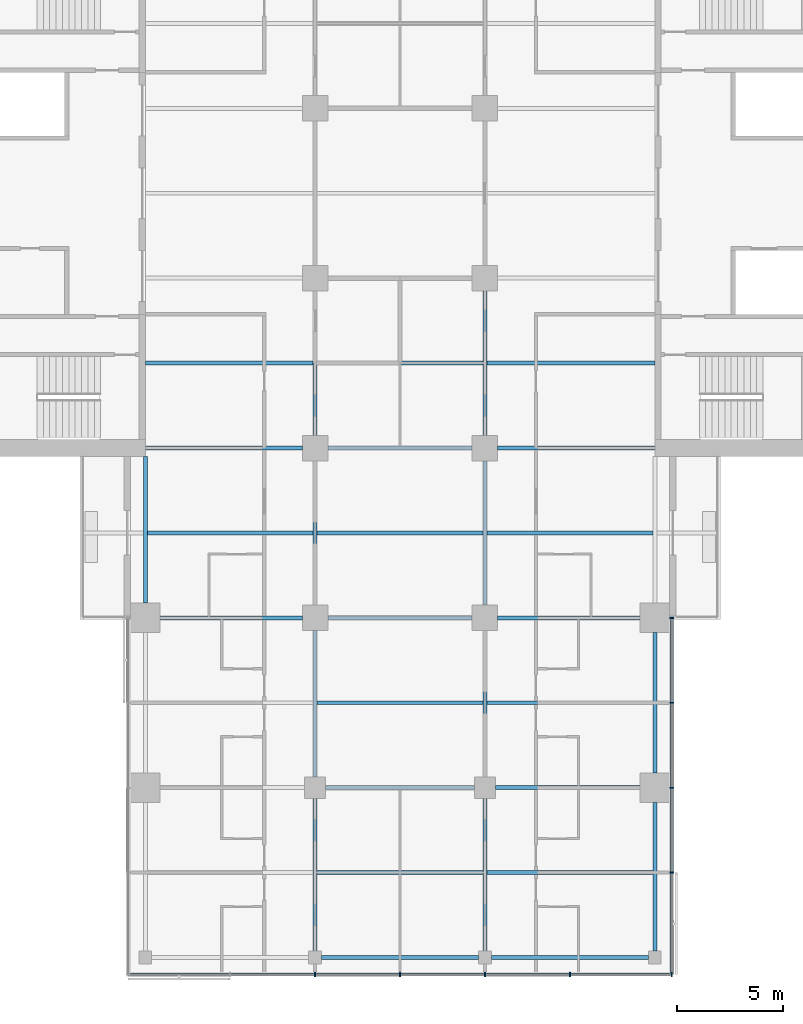
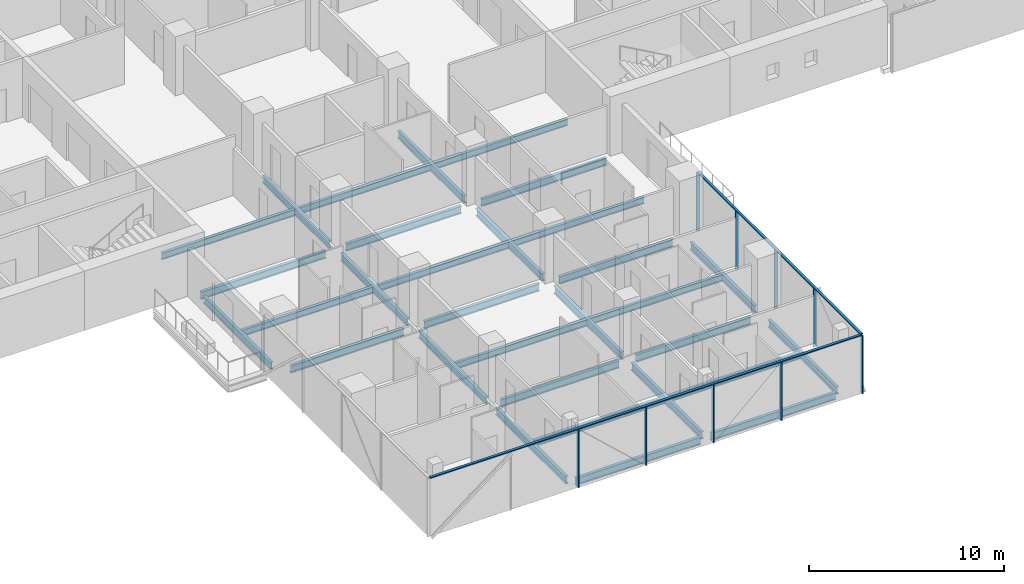
# One storey, part 4 of 29: 31 beams, 11 members, 2 elements without a shape of their own.
"""IFC4 building model written with IfcOpenShell, lengths in metres."""

import ifcopenshell
import ifcopenshell.guid

model = None  # the IFC model being written
_history = None  # IfcOwnerHistory: only IFC2X3 demands one
_inside = {}  # id of a spatial element -> (the spatial element, [elements in it])
_under = {}  # id of a project, library or spatial element -> (it, [spatial elements below it])
_declared = {}  # id of a project -> (the project, [libraries it declares])
_typed = {}  # id of a type object -> (the type object, [elements of that type])
_made_of = {}  # id of a material, layer set ... -> (it, [elements and type objects made of it])


def new_model(schema):
    """Start an empty IFC model of exactly this schema.

    Asked for "IFC4X3", IfcOpenShell would pick the latest addendum, in which some entities
    have other attributes; the version numbers below select the first issue.
    IFC2X3 requires an IfcOwnerHistory on every rooted entity: one is made here for all.
    """
    global model, _history
    if schema == "IFC4X3":
        model = ifcopenshell.file(schema_version=(4, 3, 0, 0))
    else:
        model = ifcopenshell.file(schema=schema)
    _inside.clear()
    _under.clear()
    _declared.clear()
    _typed.clear()
    _made_of.clear()
    _history = None
    if model.schema == "IFC2X3":
        org = make("IfcOrganization", Name="unknown")
        user = make(
            "IfcPersonAndOrganization",
            ThePerson=make("IfcPerson", FamilyName="unknown"),
            TheOrganization=org,
        )
        app = make(
            "IfcApplication",
            ApplicationDeveloper=org,
            Version="unknown",
            ApplicationFullName="unknown",
            ApplicationIdentifier="unknown",
        )
        _history = make(
            "IfcOwnerHistory",
            OwningUser=user,
            OwningApplication=app,
            ChangeAction="ADDED",
            CreationDate=0,
        )
    return model


def make(cls, **values):
    """One entity of the class cls with the attributes given. An attribute that is None is left unset."""
    return model.create_entity(
        cls, **{name: value for name, value in values.items() if value is not None}
    )


def rooted(cls, **values):
    """An entity with a GlobalId (a new one), such as an element, a storey or a relation."""
    return make(cls, GlobalId=ifcopenshell.guid.new(), OwnerHistory=_history, **values)


def si_unit(unit_type, name, prefix=None):
    """IfcSIUnit, for example si_unit("LENGTHUNIT", "METRE", prefix="MILLI")."""
    return make("IfcSIUnit", UnitType=unit_type, Prefix=prefix, Name=name)


def assignment(units):
    """IfcUnitAssignment: the units of a project."""
    return None if units is None else make("IfcUnitAssignment", Units=units)


def point(xyz):
    """IfcCartesianPoint."""
    return None if xyz is None else make("IfcCartesianPoint", Coordinates=xyz)


def direction(xyz):
    """IfcDirection."""
    return None if xyz is None else make("IfcDirection", DirectionRatios=xyz)


def frame(location, z_axis=None, x_axis=None):
    """IfcAxis2Placement3D, a coordinate frame: its origin and axes. An axis left out is left unset."""
    return make(
        "IfcAxis2Placement3D",
        Location=point(location),
        Axis=direction(z_axis),
        RefDirection=direction(x_axis),
    )


def frame_2d(location, x_axis=None):
    """IfcAxis2Placement2D, a coordinate frame in the plane: its origin and x axis."""
    return make(
        "IfcAxis2Placement2D", Location=point(location), RefDirection=direction(x_axis)
    )


def origin():
    """The frame at (0, 0, 0) with its axes left unset."""
    return frame((0.0, 0.0, 0.0))


def origin_2d():
    """The frame at (0, 0) in the plane with its x axis left unset."""
    return frame_2d((0.0, 0.0))


def place(relative_to, where):
    """IfcLocalPlacement: puts the frame where relative to a parent placement (None: the world)."""
    return make(
        "IfcLocalPlacement", PlacementRelTo=relative_to, RelativePlacement=where
    )


def context(
    kind, dimensions, precision=None, world=None, true_north=None, identifier=None
):
    """IfcGeometricRepresentationContext, for example the 3D "Model" context."""
    return make(
        "IfcGeometricRepresentationContext",
        ContextIdentifier=identifier,
        ContextType=kind,
        CoordinateSpaceDimension=dimensions,
        Precision=precision,
        WorldCoordinateSystem=world,
        TrueNorth=true_north,
    )


def subcontext(parent, identifier, kind, view, scale=None):
    """IfcGeometricRepresentationSubContext, for example "Body" below "Model"."""
    return make(
        "IfcGeometricRepresentationSubContext",
        ContextIdentifier=identifier,
        ContextType=kind,
        ParentContext=parent,
        TargetScale=scale,
        TargetView=view,
    )


def project(units=None, contexts=None):
    """IfcProject with its units and contexts."""
    return rooted(
        "IfcProject",
        Name="project",
        RepresentationContexts=contexts,
        UnitsInContext=assignment(units),
    )


def spatial(cls, under=None, at=None, **own):
    """A site, building, storey or space (cls), placed at a placement, below another one or the project."""
    s = rooted(cls, ObjectPlacement=at, **own)
    if under is not None:
        _under.setdefault(under.id(), (under, []))[1].append(s)
    return s


def profile(cls, at=None, kind="AREA", **sizes):
    """A parametric profile (cls). Its sizes go by their IFC names, for example OverallWidth=200.0."""
    return make(cls, ProfileType=kind, Position=at, **sizes)


def rectangle(**sizes):
    """IfcRectangleProfileDef."""
    return profile("IfcRectangleProfileDef", **sizes)


def i_section(**sizes):
    """IfcIShapeProfileDef."""
    return profile("IfcIShapeProfileDef", **sizes)


def extrude(swept, where, along, depth):
    """IfcExtrudedAreaSolid: the profile swept, set in the frame where, extruded along a direction by depth."""
    return make(
        "IfcExtrudedAreaSolid",
        SweptArea=swept,
        Position=where,
        ExtrudedDirection=direction(along),
        Depth=depth,
    )


def shape(context_of_items, identifier, shape_type, items):
    """IfcShapeRepresentation: the items that make up one representation, for example the "Body"."""
    return make(
        "IfcShapeRepresentation",
        ContextOfItems=context_of_items,
        RepresentationIdentifier=identifier,
        RepresentationType=shape_type,
        Items=items,
    )


def material(Name=None, Category=None):
    """IfcMaterial."""
    return make("IfcMaterial", Name=Name, Category=Category)


def material_profile(
    of_material, cross_section, Name=None, Category=None, Priority=None
):
    """IfcMaterialProfile: a cross section and its material."""
    return make(
        "IfcMaterialProfile",
        Name=Name,
        Material=of_material,
        Profile=cross_section,
        Priority=Priority,
        Category=Category,
    )


def profile_set(profiles, Name=None, composite=None):
    """IfcMaterialProfileSet."""
    return make(
        "IfcMaterialProfileSet",
        Name=Name,
        MaterialProfiles=profiles,
        CompositeProfile=composite,
    )


def made_of(thing, what):
    """Note that an element or type object is made of a material, layer set ...; save() writes the relation."""
    if what is not None:
        _made_of.setdefault(what.id(), (what, []))[1].append(thing)
    return thing


def type_object(cls, material=None, **own):
    """A type object (cls), such as IfcWallType, which elements share."""
    return made_of(rooted(cls, **own), material)


def element(
    cls,
    number,
    at=None,
    inside=None,
    cuts=None,
    type_object=None,
    material=None,
    context=None,
    identifier="Body",
    shape_type=None,
    held_by="IfcProductDefinitionShape",
    body=None,
    shapes=None,
    **own,
):
    """One element of the class cls, such as IfcWall. Its Tag is "e" and its number.

    at: its placement. inside: the storey or other place that contains it. cuts: it is an
    opening in that element (IfcRelVoidsElement). A single representation is given by context,
    identifier, shape_type and body (its items); several are given by shapes. held_by: the class
    of the entity that holds the representations. save() writes the other relations.
    """
    e = rooted(cls, Tag="e%d" % number, ObjectPlacement=at, **own)
    if body is not None:
        shapes = [shape(context, identifier, shape_type, body)]
    if shapes is not None:
        e.Representation = make(held_by, Representations=shapes)
    if inside is not None:
        _inside.setdefault(inside.id(), (inside, []))[1].append(e)
    if cuts is not None:
        rooted(
            "IfcRelVoidsElement", RelatingBuildingElement=cuts, RelatedOpeningElement=e
        )
    if type_object is not None:
        _typed.setdefault(type_object.id(), (type_object, []))[1].append(e)
    return made_of(e, material)


def aggregate(whole, parts):
    """IfcRelAggregates: a whole, such as a stair, and the parts it consists of."""
    return rooted("IfcRelAggregates", RelatingObject=whole, RelatedObjects=parts)


def save(model, path):
    """Write the relations noted so far, then the file.

    IfcRelAggregates (storeys below a building ...), IfcRelContainedInSpatialStructure (elements
    in a storey), IfcRelDefinesByType, IfcRelAssociatesMaterial and IfcRelDeclares: one each for
    every whole, place, type object, material and project.
    """
    for whole, parts in _under.values():
        aggregate(whole, parts)
    for where, things in _inside.values():
        rooted(
            "IfcRelContainedInSpatialStructure",
            RelatedElements=things,
            RelatingStructure=where,
        )
    for kind, things in _typed.values():
        rooted("IfcRelDefinesByType", RelatedObjects=things, RelatingType=kind)
    for what, things in _made_of.values():
        rooted("IfcRelAssociatesMaterial", RelatedObjects=things, RelatingMaterial=what)
    for by, libraries in _declared.values():
        rooted("IfcRelDeclares", RelatingContext=by, RelatedDefinitions=libraries)
    model.write(path)


model = new_model("IFC4")

# Units and contexts
model_context = context("Model", 3, precision=1e-05, world=origin(), true_north=direction((0.0, 1.0)))
body_context = subcontext(model_context, "Body", "Model", "MODEL_VIEW")
ifc_project = project(units=[si_unit("LENGTHUNIT", "METRE"), si_unit("AREAUNIT", "SQUARE_METRE"), si_unit("VOLUMEUNIT", "CUBIC_METRE"), si_unit("PLANEANGLEUNIT", "RADIAN"), si_unit("MASSUNIT", "GRAM", prefix="KILO")], contexts=[model_context])

# Site, building, storey
site_placement = place(None, origin())
site = spatial("IfcSite", under=ifc_project, at=site_placement, CompositionType="ELEMENT")
building_placement = place(site_placement, origin())
building = spatial("IfcBuilding", under=site, at=building_placement, Name="Crosswind Convention Tower", CompositionType="ELEMENT")
storey_placement = place(building_placement, frame((0.0, 0.0, 60.89990234375)))
storey = spatial("IfcBuildingStorey", under=building, at=storey_placement, Name="L09", CompositionType="ELEMENT", Elevation=60.89990234375)

# Beams
ifc_material_1 = material(Name="Steel S355", Category="steel")
ifc_material_profile_1 = material_profile(ifc_material_1, i_section(OverallWidth=0.1904296875, OverallDepth=0.457275390625, WebThickness=0.009033203125, FlangeThickness=0.014404296875, FilletRadius=0.01025390625, at=origin_2d()), Name="UB 457x191x75")
ifc_profile_set_1 = profile_set([ifc_material_profile_1], Name="Steel S355")
beam_type_1 = type_object("IfcBeamType", Name="Edge beam UB 457x191x75", PredefinedType="SPANDREL", material=ifc_profile_set_1)
beam_1_placement = place(storey_placement, frame((113.0, 80.699951171875, -0.508544921875), z_axis=(0.0, 1.0, 0.0), x_axis=(-1.0, 0.0, 0.0)))
element("IfcBeam", 1, at=beam_1_placement, inside=storey, type_object=beam_type_1, Name="B17 L09 edge beam 8", PredefinedType="SPANDREL", context=body_context, shape_type="SweptSolid", body=[
    extrude(i_section(OverallWidth=0.1904296875, OverallDepth=0.457275390625, WebThickness=0.009033203125, FlangeThickness=0.014404296875, FilletRadius=0.01025390625, at=origin_2d()), origin(), (0.0, 0.0, 1.0), 6.900146484375),
])
for number, where, z_axis, x_axis, name in (
    (2, (121.300048828125, 64.0, -0.508544921875), (1.0, 0.0, 0.0), (0.0, 1.0, 0.0), "B17 L09 edge beam 14"),
    (3, (129.300048828125, 64.0, -0.508544921875), (1.0, 0.0, 0.0), (0.0, 1.0, 0.0), "B17 L09 edge beam 16"),
):
    element("IfcBeam", number, at=place(storey_placement, frame(where, z_axis=z_axis, x_axis=x_axis)), inside=storey, type_object=beam_type_1, Name=name, PredefinedType="SPANDREL", context=body_context, shape_type="SweptSolid", body=[
        extrude(i_section(OverallWidth=0.1904296875, OverallDepth=0.457275390625, WebThickness=0.009033203125, FlangeThickness=0.014404296875, FilletRadius=0.01025390625, at=origin_2d()), origin(), (0.0, 0.0, 1.0), 7.39990234375),
    ])
beam_2_placement = place(storey_placement, frame((137.0, 64.300048828125, -0.508544921875), z_axis=(0.0, 1.0, 0.0), x_axis=(-1.0, 0.0, 0.0)))
element("IfcBeam", 4, at=beam_2_placement, inside=storey, type_object=beam_type_1, Name="B17 L09 edge beam 18", PredefinedType="SPANDREL", context=body_context, shape_type="SweptSolid", body=[
    extrude(i_section(OverallWidth=0.1904296875, OverallDepth=0.457275390625, WebThickness=0.009033203125, FlangeThickness=0.014404296875, FilletRadius=0.01025390625, at=origin_2d()), origin(), (0.0, 0.0, 1.0), 7.0),
])
beam_3_placement = place(storey_placement, frame((137.0, 72.699951171875, -0.508544921875), z_axis=(0.0, 1.0, 0.0), x_axis=(-1.0, 0.0, 0.0)))
element("IfcBeam", 5, at=beam_3_placement, inside=storey, type_object=beam_type_1, Name="B17 L09 edge beam 19", PredefinedType="SPANDREL", context=body_context, shape_type="SweptSolid", body=[
    extrude(i_section(OverallWidth=0.1904296875, OverallDepth=0.457275390625, WebThickness=0.009033203125, FlangeThickness=0.014404296875, FilletRadius=0.01025390625, at=origin_2d()), origin(), (0.0, 0.0, 1.0), 6.60009765625),
])
ifc_material_profile_2 = material_profile(ifc_material_1, i_section(OverallWidth=0.19140625, OverallDepth=0.460205078125, WebThickness=0.010009765625, FlangeThickness=0.01611328125, FilletRadius=0.01025390625, at=origin_2d()), Name="UB 457x191x82")
ifc_profile_set_2 = profile_set([ifc_material_profile_2], Name="Steel S355")
beam_type_2 = type_object("IfcBeamType", Name="Girder UB 457x191x82", PredefinedType="BEAM", material=ifc_profile_set_2)
beam_4_placement = place(storey_placement, frame((113.699951171875, 80.0, -0.510009765625), z_axis=(1.0, 0.0, 0.0), x_axis=(0.0, 1.0, 0.0)))
element("IfcBeam", 6, at=beam_4_placement, inside=storey, type_object=beam_type_2, Name="B3 L09 girder 2", PredefinedType="BEAM", context=body_context, shape_type="SweptSolid", body=[
    extrude(i_section(OverallWidth=0.19140625, OverallDepth=0.460205078125, WebThickness=0.010009765625, FlangeThickness=0.01611328125, FilletRadius=0.01025390625, at=origin_2d()), origin(), (0.0, 0.0, 1.0), 6.699951171875),
])
beam_5_placement = place(storey_placement, frame((121.0, 64.300048828125, -0.510009765625), z_axis=(0.0, 1.0, 0.0), x_axis=(-1.0, 0.0, 0.0)))
element("IfcBeam", 7, at=beam_5_placement, inside=storey, type_object=beam_type_2, Name="B3 L09 girder 5", PredefinedType="BEAM", context=body_context, shape_type="SweptSolid", body=[
    extrude(i_section(OverallWidth=0.19140625, OverallDepth=0.460205078125, WebThickness=0.010009765625, FlangeThickness=0.01611328125, FilletRadius=0.01025390625, at=origin_2d()), origin(), (0.0, 0.0, 1.0), 7.199951171875),
])
beam_6_placement = place(storey_placement, frame((121.0, 72.5, -0.510009765625), z_axis=(0.0, 1.0, 0.0), x_axis=(-1.0, 0.0, 0.0)))
element("IfcBeam", 8, at=beam_6_placement, inside=storey, type_object=beam_type_2, Name="B3 L09 girder 6", PredefinedType="BEAM", context=body_context, shape_type="SweptSolid", body=[
    extrude(i_section(OverallWidth=0.19140625, OverallDepth=0.460205078125, WebThickness=0.010009765625, FlangeThickness=0.01611328125, FilletRadius=0.01025390625, at=origin_2d()), origin(), (0.0, 0.0, 1.0), 6.89990234375),
])
for number, where, z_axis, x_axis, name in (
    (9, (121.0, 80.60009765625, -0.510009765625), (0.0, 1.0, 0.0), (-1.0, 0.0, 0.0), "B3 L09 girder 7"),
    (10, (121.0, 88.60009765625, -0.510009765625), (0.0, 1.0, 0.0), (-1.0, 0.0, 0.0), "B3 L09 girder 8"),
):
    element("IfcBeam", number, at=place(storey_placement, frame(where, z_axis=z_axis, x_axis=x_axis)), inside=storey, type_object=beam_type_2, Name=name, PredefinedType="BEAM", context=body_context, shape_type="SweptSolid", body=[
        extrude(i_section(OverallWidth=0.19140625, OverallDepth=0.460205078125, WebThickness=0.010009765625, FlangeThickness=0.01611328125, FilletRadius=0.01025390625, at=origin_2d()), origin(), (0.0, 0.0, 1.0), 6.7998046875),
    ])
beam_7_placement = place(storey_placement, frame((121.5, 72.0, -0.510009765625), z_axis=(1.0, 0.0, 0.0), x_axis=(0.0, 1.0, 0.0)))
element("IfcBeam", 11, at=beam_7_placement, inside=storey, type_object=beam_type_2, Name="B3 L09 girder 14", PredefinedType="BEAM", context=body_context, shape_type="SweptSolid", body=[
    extrude(i_section(OverallWidth=0.19140625, OverallDepth=0.460205078125, WebThickness=0.010009765625, FlangeThickness=0.01611328125, FilletRadius=0.01025390625, at=origin_2d()), origin(), (0.0, 0.0, 1.0), 7.0),
])
for number, where, z_axis, x_axis, name in (
    (12, (121.60009765625, 80.0, -0.510009765625), (1.0, 0.0, 0.0), (0.0, 1.0, 0.0), "B3 L09 girder 16"),
    (13, (121.60009765625, 88.0, -0.510009765625), (1.0, 0.0, 0.0), (0.0, 1.0, 0.0), "B3 L09 girder 17"),
):
    element("IfcBeam", number, at=place(storey_placement, frame(where, z_axis=z_axis, x_axis=x_axis)), inside=storey, type_object=beam_type_2, Name=name, PredefinedType="BEAM", context=body_context, shape_type="SweptSolid", body=[
        extrude(i_section(OverallWidth=0.19140625, OverallDepth=0.460205078125, WebThickness=0.010009765625, FlangeThickness=0.01611328125, FilletRadius=0.01025390625, at=origin_2d()), origin(), (0.0, 0.0, 1.0), 6.7998046875),
    ])
beam_8_placement = place(storey_placement, frame((129.0, 64.300048828125, -0.510009765625), z_axis=(0.0, 1.0, 0.0), x_axis=(-1.0, 0.0, 0.0)))
element("IfcBeam", 14, at=beam_8_placement, inside=storey, type_object=beam_type_2, Name="B3 L09 girder 22", PredefinedType="BEAM", context=body_context, shape_type="SweptSolid", body=[
    extrude(i_section(OverallWidth=0.19140625, OverallDepth=0.460205078125, WebThickness=0.010009765625, FlangeThickness=0.01611328125, FilletRadius=0.01025390625, at=origin_2d()), origin(), (0.0, 0.0, 1.0), 7.199951171875),
])
beam_9_placement = place(storey_placement, frame((129.0, 72.5, -0.510009765625), z_axis=(0.0, 1.0, 0.0), x_axis=(-1.0, 0.0, 0.0)))
element("IfcBeam", 15, at=beam_9_placement, inside=storey, type_object=beam_type_2, Name="B3 L09 girder 23", PredefinedType="BEAM", context=body_context, shape_type="SweptSolid", body=[
    extrude(i_section(OverallWidth=0.19140625, OverallDepth=0.460205078125, WebThickness=0.010009765625, FlangeThickness=0.01611328125, FilletRadius=0.01025390625, at=origin_2d()), origin(), (0.0, 0.0, 1.0), 6.89990234375),
])
for number, where, z_axis, x_axis, name in (
    (16, (129.0, 80.60009765625, -0.510009765625), (0.0, 1.0, 0.0), (-1.0, 0.0, 0.0), "B3 L09 girder 24"),
    (17, (129.0, 88.60009765625, -0.510009765625), (0.0, 1.0, 0.0), (-1.0, 0.0, 0.0), "B3 L09 girder 25"),
):
    element("IfcBeam", number, at=place(storey_placement, frame(where, z_axis=z_axis, x_axis=x_axis)), inside=storey, type_object=beam_type_2, Name=name, PredefinedType="BEAM", context=body_context, shape_type="SweptSolid", body=[
        extrude(i_section(OverallWidth=0.19140625, OverallDepth=0.460205078125, WebThickness=0.010009765625, FlangeThickness=0.01611328125, FilletRadius=0.01025390625, at=origin_2d()), origin(), (0.0, 0.0, 1.0), 6.7998046875),
    ])
beam_10_placement = place(storey_placement, frame((129.5, 72.0, -0.510009765625), z_axis=(1.0, 0.0, 0.0), x_axis=(0.0, 1.0, 0.0)))
element("IfcBeam", 18, at=beam_10_placement, inside=storey, type_object=beam_type_2, Name="B3 L09 girder 31", PredefinedType="BEAM", context=body_context, shape_type="SweptSolid", body=[
    extrude(i_section(OverallWidth=0.19140625, OverallDepth=0.460205078125, WebThickness=0.010009765625, FlangeThickness=0.01611328125, FilletRadius=0.01025390625, at=origin_2d()), origin(), (0.0, 0.0, 1.0), 6.800048828125),
])
beam_11_placement = place(storey_placement, frame((129.60009765625, 80.0, -0.510009765625), z_axis=(1.0, 0.0, 0.0), x_axis=(0.0, 1.0, 0.0)))
element("IfcBeam", 19, at=beam_11_placement, inside=storey, type_object=beam_type_2, Name="B3 L09 girder 33", PredefinedType="BEAM", context=body_context, shape_type="SweptSolid", body=[
    extrude(i_section(OverallWidth=0.19140625, OverallDepth=0.460205078125, WebThickness=0.010009765625, FlangeThickness=0.01611328125, FilletRadius=0.01025390625, at=origin_2d()), origin(), (0.0, 0.0, 1.0), 6.699951171875),
])
ifc_material_profile_3 = material_profile(ifc_material_1, i_section(OverallWidth=0.19189453125, OverallDepth=0.463623046875, WebThickness=0.010498046875, FlangeThickness=0.017578125, FilletRadius=0.01025390625, at=origin_2d()), Name="UB 457x191x90")
ifc_profile_set_3 = profile_set([ifc_material_profile_3], Name="Steel S355")
beam_type_3 = type_object("IfcBeamType", Name="Girder at core wall UB 457x191x90", PredefinedType="BEAM", material=ifc_profile_set_3)
for number, where, z_axis, x_axis, name in (
    (20, (113.0, 88.0, -0.51171875), (1.0, 0.0, 0.0), (0.0, 1.0, 0.0), "B24 L09 girder at core wall 3"),
    (21, (129.60009765625, 88.0, -0.51171875), (1.0, 0.0, 0.0), (0.0, 1.0, 0.0), "B24 L09 girder at core wall 7"),
):
    element("IfcBeam", number, at=place(storey_placement, frame(where, z_axis=z_axis, x_axis=x_axis)), inside=storey, type_object=beam_type_3, Name=name, PredefinedType="BEAM", context=body_context, shape_type="SweptSolid", body=[
        extrude(i_section(OverallWidth=0.19189453125, OverallDepth=0.463623046875, WebThickness=0.010498046875, FlangeThickness=0.017578125, FilletRadius=0.01025390625, at=origin_2d()), origin(), (0.0, 0.0, 1.0), 7.39990234375),
    ])

# Curtain wall, members
ifc_material_2 = material(Name="Aluminium unitised curtain wall", Category="aluminium")
curtain_wall_type = type_object("IfcCurtainWallType", Name="HOTEL UNITISED WALL 200", PredefinedType="USERDEFINED", material=ifc_material_2)
curtain_wall_1_placement = place(storey_placement, origin())
curtain_wall_1 = element("IfcCurtainWall", 22, at=curtain_wall_1_placement, inside=storey, type_object=curtain_wall_type, Name="CW2 L09 S-TIP 1", ObjectType="UNITISED", PredefinedType="USERDEFINED")
ifc_material_3 = material(Name="Aluminium mullion", Category="aluminium")
ifc_material_profile_4 = material_profile(ifc_material_3, rectangle(XDim=0.199951171875, YDim=0.06494140625, at=origin_2d()), Name="AL 200X65")
ifc_profile_set_4 = profile_set([ifc_material_profile_4], Name="Aluminium mullion")
member_type_1 = type_object("IfcMemberType", Name="MULLION 65X200", PredefinedType="MULLION", material=ifc_profile_set_4)
member_1_placement = place(storey_placement, frame((121.0, 63.199951171875, -0.27978515625), z_axis=(0.0, 0.0, 1.0), x_axis=(0.0, -1.0, 0.0)))
member_1 = element("IfcMember", 23, at=member_1_placement, type_object=member_type_1, Name="CW2 mullion 3", PredefinedType="MULLION", context=body_context, shape_type="SweptSolid", body=[
    extrude(rectangle(XDim=0.199951171875, YDim=0.06494140625, at=origin_2d()), origin(), (0.0, 0.0, 1.0), 3.634765625),
])
member_2_placement = place(storey_placement, frame((125.0, 63.199951171875, -0.27978515625), z_axis=(0.0, 0.0, 1.0), x_axis=(0.0, -1.0, 0.0)))
member_2 = element("IfcMember", 24, at=member_2_placement, type_object=member_type_1, Name="CW2 mullion 4", PredefinedType="MULLION", context=body_context, shape_type="SweptSolid", body=[
    extrude(rectangle(XDim=0.199951171875, YDim=0.06494140625, at=origin_2d()), origin(), (0.0, 0.0, 1.0), 3.634765625),
])
member_3_placement = place(storey_placement, frame((129.0, 63.199951171875, -0.27978515625), z_axis=(0.0, 0.0, 1.0), x_axis=(0.0, -1.0, 0.0)))
member_3 = element("IfcMember", 25, at=member_3_placement, type_object=member_type_1, Name="CW2 mullion 5", PredefinedType="MULLION", context=body_context, shape_type="SweptSolid", body=[
    extrude(rectangle(XDim=0.199951171875, YDim=0.06494140625, at=origin_2d()), origin(), (0.0, 0.0, 1.0), 3.634765625),
])
member_4_placement = place(storey_placement, frame((133.0, 63.199951171875, -0.27978515625), z_axis=(0.0, 0.0, 1.0), x_axis=(0.0, -1.0, 0.0)))
member_4 = element("IfcMember", 26, at=member_4_placement, type_object=member_type_1, Name="CW2 mullion 6", PredefinedType="MULLION", context=body_context, shape_type="SweptSolid", body=[
    extrude(rectangle(XDim=0.199951171875, YDim=0.06494140625, at=origin_2d()), origin(), (0.0, 0.0, 1.0), 3.634765625),
])
member_5_placement = place(storey_placement, frame((137.800048828125, 63.199951171875, -0.27978515625), z_axis=(0.0, 0.0, 1.0), x_axis=(0.0, -1.0, 0.0)))
member_5 = element("IfcMember", 27, at=member_5_placement, type_object=member_type_1, Name="CW2 mullion 7", PredefinedType="MULLION", context=body_context, shape_type="SweptSolid", body=[
    extrude(rectangle(XDim=0.199951171875, YDim=0.06494140625, at=origin_2d()), origin(), (0.0, 0.0, 1.0), 3.634765625),
])

curtain_wall_2_placement = place(storey_placement, origin())
curtain_wall_2 = element("IfcCurtainWall", 28, at=curtain_wall_2_placement, inside=storey, type_object=curtain_wall_type, Name="CW2 L09 S-E 1", ObjectType="UNITISED", PredefinedType="USERDEFINED")
member_6_placement = place(storey_placement, frame((137.800048828125, 68.0, -0.27978515625), z_axis=(0.0, 0.0, 1.0), x_axis=(1.0, 0.0, 0.0)))
member_6 = element("IfcMember", 29, at=member_6_placement, type_object=member_type_1, Name="CW2 mullion 2", PredefinedType="MULLION", context=body_context, shape_type="SweptSolid", body=[
    extrude(rectangle(XDim=0.199951171875, YDim=0.06494140625, at=origin_2d()), origin(), (0.0, 0.0, 1.0), 3.634765625),
])
member_7_placement = place(storey_placement, frame((137.800048828125, 72.0, -0.27978515625), z_axis=(0.0, 0.0, 1.0), x_axis=(1.0, 0.0, 0.0)))
member_7 = element("IfcMember", 30, at=member_7_placement, type_object=member_type_1, Name="CW2 mullion 3", PredefinedType="MULLION", context=body_context, shape_type="SweptSolid", body=[
    extrude(rectangle(XDim=0.199951171875, YDim=0.06494140625, at=origin_2d()), origin(), (0.0, 0.0, 1.0), 3.634765625),
])
member_8_placement = place(storey_placement, frame((137.800048828125, 76.0, -0.27978515625), z_axis=(0.0, 0.0, 1.0), x_axis=(1.0, 0.0, 0.0)))
member_8 = element("IfcMember", 31, at=member_8_placement, type_object=member_type_1, Name="CW2 mullion 4", PredefinedType="MULLION", context=body_context, shape_type="SweptSolid", body=[
    extrude(rectangle(XDim=0.199951171875, YDim=0.06494140625, at=origin_2d()), origin(), (0.0, 0.0, 1.0), 3.634765625),
])
member_9_placement = place(storey_placement, frame((137.800048828125, 80.0, -0.27978515625), z_axis=(0.0, 0.0, 1.0), x_axis=(1.0, 0.0, 0.0)))
member_9 = element("IfcMember", 32, at=member_9_placement, type_object=member_type_1, Name="CW2 mullion 5", PredefinedType="MULLION", context=body_context, shape_type="SweptSolid", body=[
    extrude(rectangle(XDim=0.199951171875, YDim=0.06494140625, at=origin_2d()), origin(), (0.0, 0.0, 1.0), 3.634765625),
])

# Beams
ifc_material_profile_5 = material_profile(ifc_material_1, i_section(OverallWidth=0.177734375, OverallDepth=0.406494140625, WebThickness=0.0078125, FlangeThickness=0.0126953125, FilletRadius=0.01025390625, at=origin_2d()), Name="UB 406x178x60")
ifc_profile_set_5 = profile_set([ifc_material_profile_5], Name="Steel S355")
beam_type_4 = type_object("IfcBeamType", Name="Secondary beam UB 406x178x60", PredefinedType="JOIST", material=ifc_profile_set_5)
beam_12_placement = place(storey_placement, frame((113.0, 92.0, -0.483154296875), z_axis=(1.0, 0.0, 0.0), x_axis=(0.0, 1.0, 0.0)))
element("IfcBeam", 33, at=beam_12_placement, inside=storey, type_object=beam_type_4, Name="B10 L09 secondary beam 4", PredefinedType="JOIST", context=body_context, shape_type="SweptSolid", body=[
    extrude(i_section(OverallWidth=0.177734375, OverallDepth=0.406494140625, WebThickness=0.0078125, FlangeThickness=0.0126953125, FilletRadius=0.01025390625, at=origin_2d()), origin(), (0.0, 0.0, 1.0), 7.904296875),
])
beam_13_placement = place(storey_placement, frame((113.09521484375, 84.0, -0.483154296875), z_axis=(1.0, 0.0, 0.0), x_axis=(0.0, 1.0, 0.0)))
element("IfcBeam", 34, at=beam_13_placement, inside=storey, type_object=beam_type_4, Name="B10 L09 secondary beam 9", PredefinedType="JOIST", context=body_context, shape_type="SweptSolid", body=[
    extrude(i_section(OverallWidth=0.177734375, OverallDepth=0.406494140625, WebThickness=0.0078125, FlangeThickness=0.0126953125, FilletRadius=0.01025390625, at=origin_2d()), origin(), (0.0, 0.0, 1.0), 7.80908203125),
])
for number, where, z_axis, x_axis, name in (
    (35, (121.095703125, 68.0, -0.483154296875), (1.0, 0.0, 0.0), (0.0, 1.0, 0.0), "B10 L09 secondary beam 13"),
    (36, (121.095703125, 76.0, -0.483154296875), (1.0, 0.0, 0.0), (0.0, 1.0, 0.0), "B10 L09 secondary beam 14"),
    (37, (121.095703125, 84.0, -0.483154296875), (1.0, 0.0, 0.0), (0.0, 1.0, 0.0), "B10 L09 secondary beam 15"),
    (38, (121.095703125, 92.0, -0.483154296875), (1.0, 0.0, 0.0), (0.0, 1.0, 0.0), "B10 L09 secondary beam 16"),
):
    element("IfcBeam", number, at=place(storey_placement, frame(where, z_axis=z_axis, x_axis=x_axis)), inside=storey, type_object=beam_type_4, Name=name, PredefinedType="JOIST", context=body_context, shape_type="SweptSolid", body=[
        extrude(i_section(OverallWidth=0.177734375, OverallDepth=0.406494140625, WebThickness=0.0078125, FlangeThickness=0.0126953125, FilletRadius=0.01025390625, at=origin_2d()), origin(), (0.0, 0.0, 1.0), 7.80859375),
    ])
for number, where, z_axis, x_axis, name in (
    (39, (129.095703125, 68.0, -0.483154296875), (1.0, 0.0, 0.0), (0.0, 1.0, 0.0), "B10 L09 secondary beam 22"),
    (40, (129.095703125, 76.0, -0.483154296875), (1.0, 0.0, 0.0), (0.0, 1.0, 0.0), "B10 L09 secondary beam 23"),
    (41, (129.095703125, 84.0, -0.483154296875), (1.0, 0.0, 0.0), (0.0, 1.0, 0.0), "B10 L09 secondary beam 24"),
):
    element("IfcBeam", number, at=place(storey_placement, frame(where, z_axis=z_axis, x_axis=x_axis)), inside=storey, type_object=beam_type_4, Name=name, PredefinedType="JOIST", context=body_context, shape_type="SweptSolid", body=[
        extrude(i_section(OverallWidth=0.177734375, OverallDepth=0.406494140625, WebThickness=0.0078125, FlangeThickness=0.0126953125, FilletRadius=0.01025390625, at=origin_2d()), origin(), (0.0, 0.0, 1.0), 7.80908203125),
    ])
beam_14_placement = place(storey_placement, frame((129.095703125, 92.0, -0.483154296875), z_axis=(1.0, 0.0, 0.0), x_axis=(0.0, 1.0, 0.0)))
element("IfcBeam", 42, at=beam_14_placement, inside=storey, type_object=beam_type_4, Name="B10 L09 secondary beam 25", PredefinedType="JOIST", context=body_context, shape_type="SweptSolid", body=[
    extrude(i_section(OverallWidth=0.177734375, OverallDepth=0.406494140625, WebThickness=0.0078125, FlangeThickness=0.0126953125, FilletRadius=0.01025390625, at=origin_2d()), origin(), (0.0, 0.0, 1.0), 7.904296875),
])

# Member
ifc_material_4 = material(Name="Aluminium transom", Category="aluminium")
ifc_material_profile_6 = material_profile(ifc_material_4, rectangle(XDim=0.14990234375, YDim=0.06494140625, at=origin_2d()), Name="AL 150X65")
ifc_profile_set_6 = profile_set([ifc_material_profile_6], Name="Aluminium transom")
member_type_2 = type_object("IfcMemberType", Name="TRANSOM 65X150", PredefinedType="USERDEFINED", material=ifc_profile_set_6)
member_10_placement = place(storey_placement, frame((112.232421875, 63.199951171875, 3.3876953125), z_axis=(1.0, 0.0, 0.0), x_axis=(0.0, 1.0, 0.0)))
member_10 = element("IfcMember", 43, at=member_10_placement, type_object=member_type_2, Name="CW2 transom", ObjectType="TRANSOM", PredefinedType="USERDEFINED", context=body_context, shape_type="SweptSolid", body=[
    extrude(rectangle(XDim=0.14990234375, YDim=0.06494140625, at=origin_2d()), origin(), (0.0, 0.0, 1.0), 25.53515625),
])

aggregate(curtain_wall_1, [member_1, member_2, member_3, member_4, member_5, member_10])

member_11_placement = place(storey_placement, frame((137.800048828125, 63.232421875, 3.3876953125), z_axis=(0.0, 1.0, 0.0), x_axis=(-1.0, 0.0, 0.0)))
member_11 = element("IfcMember", 44, at=member_11_placement, type_object=member_type_2, Name="CW2 transom", ObjectType="TRANSOM", PredefinedType="USERDEFINED", context=body_context, shape_type="SweptSolid", body=[
    extrude(rectangle(XDim=0.14990234375, YDim=0.06494140625, at=origin_2d()), origin(), (0.0, 0.0, 1.0), 16.735107421875),
])

aggregate(curtain_wall_2, [member_6, member_7, member_8, member_9, member_11])

save(model, "model.ifc")
